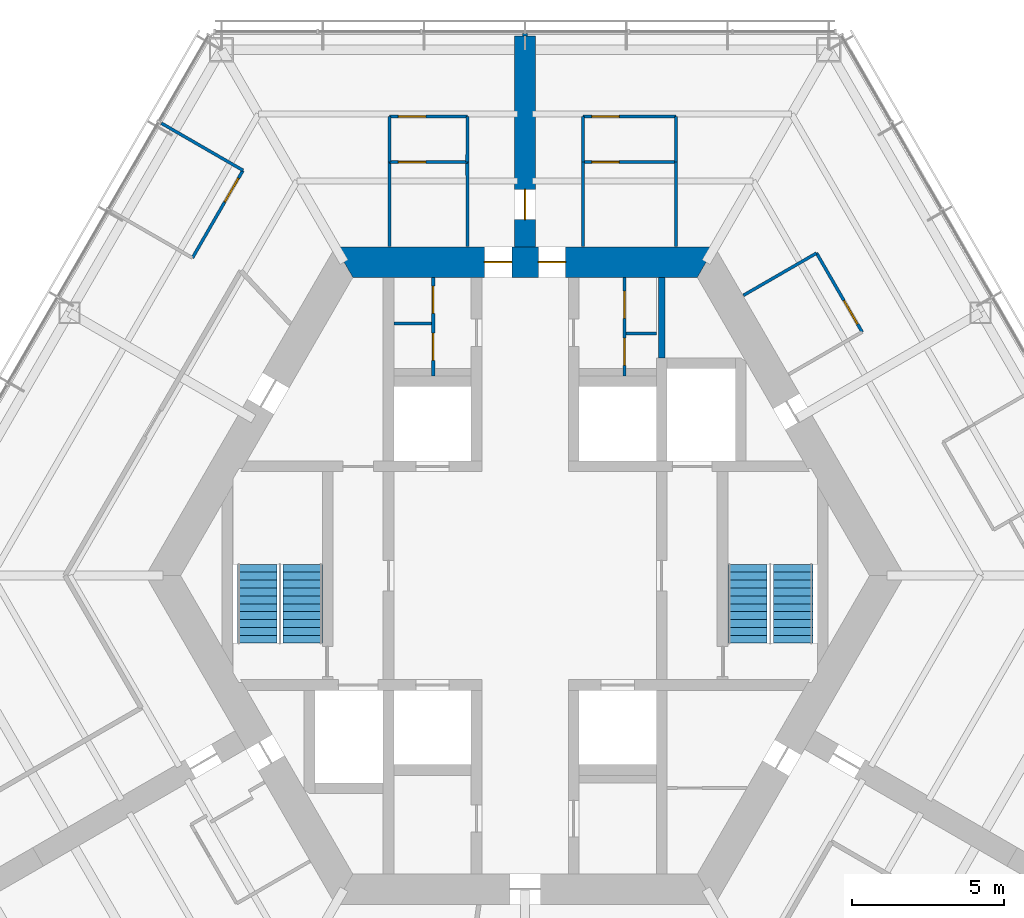
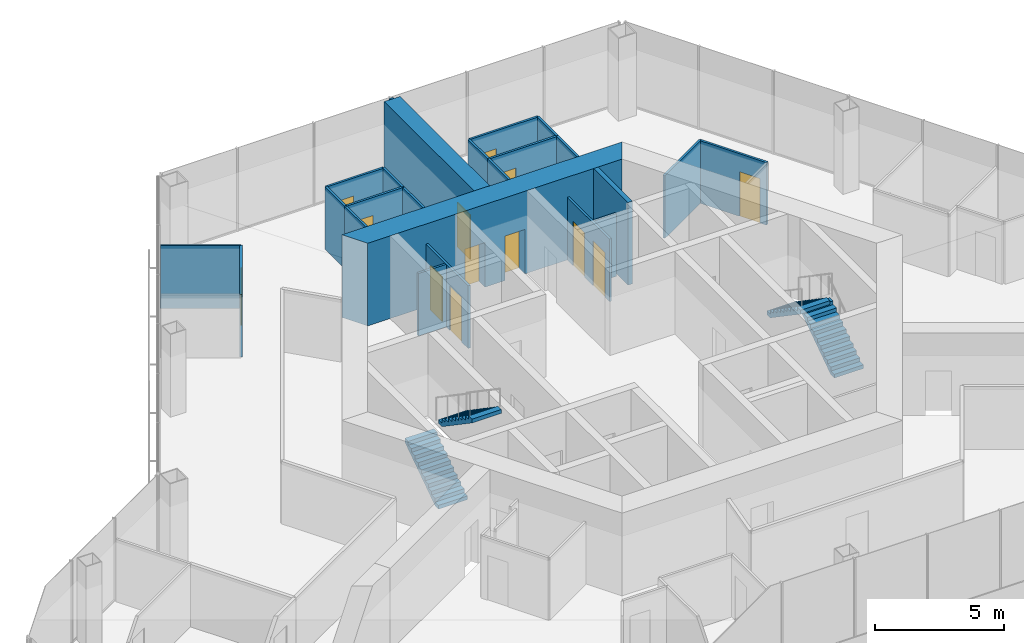
# One storey, part 15 of 18: 24 walls, 13 doors, 4 stair flights, 13 openings, 2 elements without a shape of their own.
"""IFC4 building model written with IfcOpenShell, lengths in metres."""

from ifc_helpers import new_model, si_unit, direction, frame, frame_2d, origin, place, context, subcontext, project, spatial, polyline, rectangle, outline, extrude, material, layer, layer_set, type_object, element, fill, aggregate, save


model = new_model("IFC4")

# Units and contexts
model_context = context("Model", 3, precision=1e-05, world=origin(), true_north=direction((0.0, 1.0)))
body_context = subcontext(model_context, "Body", "Model", "MODEL_VIEW")
ifc_project = project(units=[si_unit("LENGTHUNIT", "METRE"), si_unit("AREAUNIT", "SQUARE_METRE"), si_unit("VOLUMEUNIT", "CUBIC_METRE"), si_unit("PLANEANGLEUNIT", "RADIAN"), si_unit("MASSUNIT", "GRAM", prefix="KILO")], contexts=[model_context])

# Site, building, storey
site_placement = place(None, origin())
site = spatial("IfcSite", under=ifc_project, at=site_placement, CompositionType="ELEMENT")
building_placement = place(site_placement, origin())
building = spatial("IfcBuilding", under=site, at=building_placement, Name="Kasaneha Research Tower", CompositionType="ELEMENT")
storey_placement = place(building_placement, frame((0.0, 0.0, 191.60009765625)))
storey = spatial("IfcBuildingStorey", under=building, at=storey_placement, Name="L48", CompositionType="ELEMENT", Elevation=191.60009765625)

# Wall, openings, doors
ifc_material_1 = material(Name="Concrete Fc70", Category="concrete")
ifc_layer_1 = layer(ifc_material_1, 1.0)
ifc_layer_set_1 = layer_set([ifc_layer_1], Name="Core wall 1000 Fc70")
wall_type_1 = type_object("IfcWallType", Name="Core wall 1000 Fc70", PredefinedType="SHEAR", material=ifc_layer_set_1)
wall_1_placement = place(storey_placement, frame((5.961181640625, 10.324951171875, 0.0), z_axis=(0.0, 0.0, 1.0), x_axis=(-1.0, 0.0, 0.0)))
wall_1 = element("IfcWall", 1, at=wall_1_placement, inside=storey, type_object=wall_type_1, Name="Core wall 090 L48", PredefinedType="SHEAR", context=body_context, shape_type="SweptSolid", body=[
    extrude(outline(polyline([(-0.28857421875, -0.5), (4.62353515625, -0.5), (5.5234375, -0.5), (6.398681640625, -0.5), (7.298583984375, -0.5), (12.2109375, -0.5), (11.6337890625, 0.5), (7.298583984375, 0.5), (6.398681640625, 0.5), (5.5234375, 0.5), (4.62353515625, 0.5), (0.28857421875, 0.5), (-0.28857421875, -0.5)])), origin(), (0.0, 0.0, 1.0), 3.89990234375),
])
opening_1_placement = place(wall_1_placement, frame((6.398681640625, 0.0, 0.0)))
opening_1 = element("IfcOpeningElement", 2, at=opening_1_placement, cuts=wall_1, Name="Opening L48-D01", PredefinedType="OPENING", context=body_context, shape_type="SweptSolid", body=[
    extrude(rectangle(XDim=0.89990234375, YDim=2.10009765625, at=frame_2d((0.449951171875, 1.050048828125))), frame((0.0, 0.510009765625, 0.0), z_axis=(0.0, -1.0, 0.0), x_axis=(1.0, 0.0, 0.0)), (0.0, 0.0, 1.0), 1.02001953125),
])
opening_2_placement = place(wall_1_placement, frame((4.62353515625, 0.0, 0.0)))
opening_2 = element("IfcOpeningElement", 3, at=opening_2_placement, cuts=wall_1, Name="Opening L48-D02", PredefinedType="OPENING", context=body_context, shape_type="SweptSolid", body=[
    extrude(rectangle(XDim=0.89990234375, YDim=2.10009765625, at=frame_2d((0.449951171875, 1.050048828125))), frame((0.0, 0.510009765625, 0.0), z_axis=(0.0, -1.0, 0.0), x_axis=(1.0, 0.0, 0.0)), (0.0, 0.0, 1.0), 1.02001953125),
])
ifc_material_2 = material(Name="Steel", Category="steel")
door_type_1 = type_object("IfcDoorType", Name="Toilet door FD20 900x2100", OperationType="NOTDEFINED", PredefinedType="DOOR", material=ifc_material_2)
door_1_placement = place(opening_1_placement, origin())
door_1 = element("IfcDoor", 4, at=door_1_placement, inside=storey, type_object=door_type_1, Name="Core door north 1 L48-D01", OperationType="SINGLE_SWING_RIGHT", OverallHeight=2.10009765625, OverallWidth=0.89990234375, PredefinedType="DOOR", context=body_context, shape_type="SweptSolid", body=[
    extrude(rectangle(XDim=0.89990234375, YDim=2.10009765625, at=frame_2d((0.449951171875, 1.050048828125))), frame((0.0, 0.02490234375, 0.0), z_axis=(0.0, -1.0, 0.0), x_axis=(1.0, 0.0, 0.0)), (0.0, 0.0, 1.0), 0.050048828125),
])
fill(opening_1, door_1)
door_2_placement = place(opening_2_placement, origin())
door_2 = element("IfcDoor", 5, at=door_2_placement, inside=storey, type_object=door_type_1, Name="Core door north 2 L48-D02", OperationType="SINGLE_SWING_LEFT", OverallHeight=2.10009765625, OverallWidth=0.89990234375, PredefinedType="DOOR", context=body_context, shape_type="SweptSolid", body=[
    extrude(rectangle(XDim=0.89990234375, YDim=2.10009765625, at=frame_2d((0.449951171875, 1.050048828125))), frame((0.0, 0.02490234375, 0.0), z_axis=(0.0, -1.0, 0.0), x_axis=(1.0, 0.0, 0.0)), (0.0, 0.0, 1.0), 0.050048828125),
])
fill(opening_2, door_2)

ifc_material_3 = material(Name="Gypsum board on steel studs, one layer each side", Category="steel")
ifc_layer_2 = layer(ifc_material_3, 0.10009765625)
ifc_layer_set_2 = layer_set([ifc_layer_2], Name="Office partition 100")
wall_type_2 = type_object("IfcWallType", Name="Office partition 100", PredefinedType="PARTITIONING", material=ifc_layer_set_2)
wall_2_placement = place(storey_placement, frame((-3.02490234375, 6.574951171875, 0.0), z_axis=(0.0, 0.0, 1.0), x_axis=(0.0, 1.0, 0.0)))
wall_2 = element("IfcWall", 6, at=wall_2_placement, inside=storey, type_object=wall_type_2, Name="Office partition TBM1 L48", PredefinedType="PARTITIONING", context=body_context, shape_type="SweptSolid", body=[
    extrude(rectangle(XDim=3.25, YDim=0.10009765625, at=frame_2d((1.625, 0.0))), origin(), (0.0, 0.0, 1.0), 2.949951171875),
])
opening_3_placement = place(wall_2_placement, frame((2.06494140625, 0.0, 0.0)))
opening_3 = element("IfcOpeningElement", 7, at=opening_3_placement, cuts=wall_2, Name="Opening L48-D20", PredefinedType="OPENING", context=body_context, shape_type="SweptSolid", body=[
    extrude(rectangle(XDim=0.89990234375, YDim=2.10009765625, at=frame_2d((0.449951171875, 1.050048828125))), frame((0.0, 0.06005859375, 0.0), z_axis=(0.0, -1.0, 0.0), x_axis=(1.0, 0.0, 0.0)), (0.0, 0.0, 1.0), 0.1201171875),
])
opening_4_placement = place(wall_2_placement, frame((0.514892578125, 0.0, 0.0)))
opening_4 = element("IfcOpeningElement", 8, at=opening_4_placement, cuts=wall_2, Name="Opening L48-D21", PredefinedType="OPENING", context=body_context, shape_type="SweptSolid", body=[
    extrude(rectangle(XDim=0.89990234375, YDim=2.10009765625, at=frame_2d((0.449951171875, 1.050048828125))), frame((0.0, 0.06005859375, 0.0), z_axis=(0.0, -1.0, 0.0), x_axis=(1.0, 0.0, 0.0)), (0.0, 0.0, 1.0), 0.1201171875),
])
ifc_material_4 = material(Name="Steel", Category="steel")
door_type_2 = type_object("IfcDoorType", Name="Toilet lobby door FD30 900x2100", OperationType="NOTDEFINED", PredefinedType="DOOR", material=ifc_material_4)
door_3_placement = place(opening_3_placement, origin())
door_3 = element("IfcDoor", 9, at=door_3_placement, inside=storey, type_object=door_type_2, Name="Men's WC door L48-D20", OperationType="SINGLE_SWING_RIGHT", OverallHeight=2.10009765625, OverallWidth=0.89990234375, PredefinedType="DOOR", context=body_context, shape_type="SweptSolid", body=[
    extrude(rectangle(XDim=0.89990234375, YDim=2.10009765625, at=frame_2d((0.449951171875, 1.050048828125))), frame((0.0, 0.02490234375, 0.0), z_axis=(0.0, -1.0, 0.0), x_axis=(1.0, 0.0, 0.0)), (0.0, 0.0, 1.0), 0.050048828125),
])
fill(opening_3, door_3)
door_4_placement = place(opening_4_placement, origin())
door_4 = element("IfcDoor", 10, at=door_4_placement, inside=storey, type_object=door_type_2, Name="Shower room door L48-D21", OperationType="SINGLE_SWING_RIGHT", OverallHeight=2.10009765625, OverallWidth=0.89990234375, PredefinedType="DOOR", context=body_context, shape_type="SweptSolid", body=[
    extrude(rectangle(XDim=0.89990234375, YDim=2.10009765625, at=frame_2d((0.449951171875, 1.050048828125))), frame((0.0, 0.02490234375, 0.0), z_axis=(0.0, -1.0, 0.0), x_axis=(1.0, 0.0, 0.0)), (0.0, 0.0, 1.0), 0.050048828125),
])
fill(opening_4, door_4)

# Wall
wall_3_placement = place(storey_placement, frame((-3.074951171875, 8.304931640625, 0.0), z_axis=(0.0, 0.0, 1.0), x_axis=(-1.0, 0.0, 0.0)))
element("IfcWall", 11, at=wall_3_placement, inside=storey, type_object=wall_type_2, Name="Office partition TBM2 L48", PredefinedType="PARTITIONING", context=body_context, shape_type="SweptSolid", body=[
    extrude(rectangle(XDim=1.25, YDim=0.10009765625, at=frame_2d((0.625, 0.0))), origin(), (0.0, 0.0, 1.0), 2.949951171875),
])

# Wall, openings, doors
wall_4_placement = place(storey_placement, frame((3.27490234375, 6.574951171875, 0.0), z_axis=(0.0, 0.0, 1.0), x_axis=(0.0, 1.0, 0.0)))
wall_4 = element("IfcWall", 12, at=wall_4_placement, inside=storey, type_object=wall_type_2, Name="Office partition TBF1 L48", PredefinedType="PARTITIONING", context=body_context, shape_type="SweptSolid", body=[
    extrude(rectangle(XDim=3.25, YDim=0.10009765625, at=frame_2d((1.625, 0.0))), origin(), (0.0, 0.0, 1.0), 2.949951171875),
])
opening_5_placement = place(wall_4_placement, frame((1.89990234375, 0.0, 0.0)))
opening_5 = element("IfcOpeningElement", 13, at=opening_5_placement, cuts=wall_4, Name="Opening L48-D22", PredefinedType="OPENING", context=body_context, shape_type="SweptSolid", body=[
    extrude(rectangle(XDim=0.89990234375, YDim=2.10009765625, at=frame_2d((0.449951171875, 1.050048828125))), frame((0.0, 0.06005859375, 0.0), z_axis=(0.0, -1.0, 0.0), x_axis=(1.0, 0.0, 0.0)), (0.0, 0.0, 1.0), 0.1201171875),
])
opening_6_placement = place(wall_4_placement, frame((0.35009765625, 0.0, 0.0)))
opening_6 = element("IfcOpeningElement", 14, at=opening_6_placement, cuts=wall_4, Name="Opening L48-D23", PredefinedType="OPENING", context=body_context, shape_type="SweptSolid", body=[
    extrude(rectangle(XDim=0.89990234375, YDim=2.10009765625, at=frame_2d((0.449951171875, 1.050048828125))), frame((0.0, 0.06005859375, 0.0), z_axis=(0.0, -1.0, 0.0), x_axis=(1.0, 0.0, 0.0)), (0.0, 0.0, 1.0), 0.1201171875),
])
door_5_placement = place(opening_5_placement, origin())
door_5 = element("IfcDoor", 15, at=door_5_placement, inside=storey, type_object=door_type_2, Name="Women's WC door L48-D22", OperationType="SINGLE_SWING_RIGHT", OverallHeight=2.10009765625, OverallWidth=0.89990234375, PredefinedType="DOOR", context=body_context, shape_type="SweptSolid", body=[
    extrude(rectangle(XDim=0.89990234375, YDim=2.10009765625, at=frame_2d((0.449951171875, 1.050048828125))), frame((0.0, 0.02490234375, 0.0), z_axis=(0.0, -1.0, 0.0), x_axis=(1.0, 0.0, 0.0)), (0.0, 0.0, 1.0), 0.050048828125),
])
fill(opening_5, door_5)
door_6_placement = place(opening_6_placement, origin())
door_6 = element("IfcDoor", 16, at=door_6_placement, inside=storey, type_object=door_type_2, Name="Cleaner's store door L48-D23", OperationType="SINGLE_SWING_RIGHT", OverallHeight=2.10009765625, OverallWidth=0.89990234375, PredefinedType="DOOR", context=body_context, shape_type="SweptSolid", body=[
    extrude(rectangle(XDim=0.89990234375, YDim=2.10009765625, at=frame_2d((0.449951171875, 1.050048828125))), frame((0.0, 0.02490234375, 0.0), z_axis=(0.0, -1.0, 0.0), x_axis=(1.0, 0.0, 0.0)), (0.0, 0.0, 1.0), 0.050048828125),
])
fill(opening_6, door_6)

# Wall
wall_5_placement = place(storey_placement, frame((3.324951171875, 7.97509765625, 0.0), z_axis=(0.0, 0.0, 1.0), x_axis=(1.0, 0.0, 0.0)))
element("IfcWall", 17, at=wall_5_placement, inside=storey, type_object=wall_type_2, Name="Office partition TBF2 L48", PredefinedType="PARTITIONING", context=body_context, shape_type="SweptSolid", body=[
    extrude(rectangle(XDim=1.0, YDim=0.10009765625, at=frame_2d((0.5, 0.0))), origin(), (0.0, 0.0, 1.0), 2.949951171875),
])

# Wall, opening, door
wall_6_placement = place(storey_placement, frame((1.89990234375, 13.6201171875, 0.0), z_axis=(0.0, 0.0, 1.0), x_axis=(1.0, 0.0, 0.0)))
wall_6 = element("IfcWall", 18, at=wall_6_placement, inside=storey, type_object=wall_type_2, Name="Office partition FAE01 L48", PredefinedType="PARTITIONING", context=body_context, shape_type="SweptSolid", body=[
    extrude(rectangle(XDim=3.071044921875, YDim=0.10009765625, at=frame_2d((1.53564453125, 0.0))), origin(), (0.0, 0.0, 1.0), 2.949951171875),
])
opening_7_placement = place(wall_6_placement, frame((0.300048828125, 0.0, 0.0)))
opening_7 = element("IfcOpeningElement", 19, at=opening_7_placement, cuts=wall_6, Name="Opening L48-D25", PredefinedType="OPENING", context=body_context, shape_type="SweptSolid", body=[
    extrude(rectangle(XDim=0.89990234375, YDim=2.10009765625, at=frame_2d((0.449951171875, 1.050048828125))), frame((0.0, 0.06005859375, 0.0), z_axis=(0.0, -1.0, 0.0), x_axis=(1.0, 0.0, 0.0)), (0.0, 0.0, 1.0), 0.1201171875),
])
door_7_placement = place(opening_7_placement, origin())
door_7 = element("IfcDoor", 20, at=door_7_placement, inside=storey, type_object=door_type_2, Name="Women's WC door L48-D25", OperationType="SINGLE_SWING_LEFT", OverallHeight=2.10009765625, OverallWidth=0.89990234375, PredefinedType="DOOR", context=body_context, shape_type="SweptSolid", body=[
    extrude(rectangle(XDim=0.89990234375, YDim=2.10009765625, at=frame_2d((0.449951171875, 1.050048828125))), frame((0.0, 0.02490234375, 0.0), z_axis=(0.0, -1.0, 0.0), x_axis=(1.0, 0.0, 0.0)), (0.0, 0.0, 1.0), 0.050048828125),
])
fill(opening_7, door_7)

# Walls
for number, where, z_axis, x_axis, name in (
    (21, (1.89990234375, 10.844970703125, 0.0), (0.0, 0.0, 1.0), (0.001668567099, 0.999998607941, 0.0), "Office partition FAE02 L48"),
    (22, (4.96630859375, 13.625, 0.0), (0.0, 0.0, 1.0), (0.001668567099, -0.999998607941, 0.0), "Office partition FAE03 L48"),
):
    element("IfcWall", number, at=place(storey_placement, frame(where, z_axis=z_axis, x_axis=x_axis)), inside=storey, type_object=wall_type_2, Name=name, PredefinedType="PARTITIONING", context=body_context, shape_type="SweptSolid", body=[
        extrude(rectangle(XDim=2.780029296875, YDim=0.10009765625, at=frame_2d((1.39013671875, 0.0))), origin(), (0.0, 0.0, 1.0), 2.949951171875),
    ])

# Wall, opening, door
wall_7_placement = place(storey_placement, frame((1.89990234375, 15.125, 0.0), z_axis=(0.0, 0.0, 1.0), x_axis=(1.0, 0.0, 0.0)))
wall_7 = element("IfcWall", 23, at=wall_7_placement, inside=storey, type_object=wall_type_2, Name="Office partition FAE04 L48", PredefinedType="PARTITIONING", context=body_context, shape_type="SweptSolid", body=[
    extrude(rectangle(XDim=3.071044921875, YDim=0.10009765625, at=frame_2d((1.53564453125, 0.0))), origin(), (0.0, 0.0, 1.0), 2.949951171875),
])
opening_8_placement = place(wall_7_placement, frame((0.300048828125, 0.0, 0.0)))
opening_8 = element("IfcOpeningElement", 24, at=opening_8_placement, cuts=wall_7, Name="Opening L48-D26", PredefinedType="OPENING", context=body_context, shape_type="SweptSolid", body=[
    extrude(rectangle(XDim=0.89990234375, YDim=2.10009765625, at=frame_2d((0.449951171875, 1.050048828125))), frame((0.0, 0.06005859375, 0.0), z_axis=(0.0, -1.0, 0.0), x_axis=(1.0, 0.0, 0.0)), (0.0, 0.0, 1.0), 0.1201171875),
])
door_8_placement = place(opening_8_placement, origin())
door_8 = element("IfcDoor", 25, at=door_8_placement, inside=storey, type_object=door_type_2, Name="Toilet lobby door L48-D26", OperationType="SINGLE_SWING_LEFT", OverallHeight=2.10009765625, OverallWidth=0.89990234375, PredefinedType="DOOR", context=body_context, shape_type="SweptSolid", body=[
    extrude(rectangle(XDim=0.89990234375, YDim=2.10009765625, at=frame_2d((0.449951171875, 1.050048828125))), frame((0.0, 0.02490234375, 0.0), z_axis=(0.0, -1.0, 0.0), x_axis=(1.0, 0.0, 0.0)), (0.0, 0.0, 1.0), 0.050048828125),
])
fill(opening_8, door_8)

# Walls
for number, where, z_axis, x_axis, name in (
    (26, (1.904541015625, 13.625, 0.0), (0.0, 0.0, 1.0), (-0.00309243313, 0.999995218417, 0.0), "Office partition FAE05 L48"),
    (27, (4.970947265625, 15.125, 0.0), (0.0, 0.0, 1.0), (-0.00309243313, -0.999995218417, 0.0), "Office partition FAE06 L48"),
):
    element("IfcWall", number, at=place(storey_placement, frame(where, z_axis=z_axis, x_axis=x_axis)), inside=storey, type_object=wall_type_2, Name=name, PredefinedType="PARTITIONING", context=body_context, shape_type="SweptSolid", body=[
        extrude(rectangle(XDim=1.5, YDim=0.10009765625, at=frame_2d((0.75, 0.0))), origin(), (0.0, 0.0, 1.0), 2.949951171875),
    ])
wall_8_placement = place(storey_placement, frame((7.19189453125, 9.23291015625, 0.0), z_axis=(0.0, 0.0, 1.0), x_axis=(0.866018876994, 0.500011304563, 0.0)))
element("IfcWall", 28, at=wall_8_placement, inside=storey, type_object=wall_type_2, Name="Office partition FAE07 L48", PredefinedType="PARTITIONING", context=body_context, shape_type="SweptSolid", body=[
    extrude(rectangle(XDim=2.7802734375, YDim=0.10009765625, at=frame_2d((1.39013671875, 0.0))), origin(), (0.0, 0.0, 1.0), 2.949951171875),
])

# Wall, opening, door
wall_9_placement = place(storey_placement, frame((9.599609375, 10.623046875, 0.0), z_axis=(0.0, 0.0, 1.0), x_axis=(0.499990139034, -0.866031096941, 0.0)))
wall_9 = element("IfcWall", 29, at=wall_9_placement, inside=storey, type_object=wall_type_2, Name="Office partition FAE08 L48", PredefinedType="PARTITIONING", context=body_context, shape_type="SweptSolid", body=[
    extrude(rectangle(XDim=3.0, YDim=0.10009765625, at=frame_2d((1.5, 0.0))), origin(), (0.0, 0.0, 1.0), 2.949951171875),
])
opening_9_placement = place(wall_9_placement, frame((1.800048828125, 0.0, 0.0)))
opening_9 = element("IfcOpeningElement", 30, at=opening_9_placement, cuts=wall_9, Name="Opening L48-D27", PredefinedType="OPENING", context=body_context, shape_type="SweptSolid", body=[
    extrude(rectangle(XDim=0.89990234375, YDim=2.10009765625, at=frame_2d((0.449951171875, 1.050048828125))), frame((0.0, 0.06005859375, 0.0), z_axis=(0.0, -1.0, 0.0), x_axis=(1.0, 0.0, 0.0)), (0.0, 0.0, 1.0), 0.1201171875),
])
ifc_material_5 = material(Name="Timber veneer", Category="wood")
door_type_3 = type_object("IfcDoorType", Name="Office door 900x2100", OperationType="SINGLE_SWING_LEFT", PredefinedType="DOOR", material=ifc_material_5)
door_9_placement = place(opening_9_placement, origin())
door_9 = element("IfcDoor", 31, at=door_9_placement, inside=storey, type_object=door_type_3, Name="Pantry door L48-D27", OperationType="SINGLE_SWING_RIGHT", OverallHeight=2.10009765625, OverallWidth=0.89990234375, PredefinedType="DOOR", context=body_context, shape_type="SweptSolid", body=[
    extrude(rectangle(XDim=0.89990234375, YDim=2.10009765625, at=frame_2d((0.449951171875, 1.050048828125))), frame((0.0, 0.02490234375, 0.0), z_axis=(0.0, -1.0, 0.0), x_axis=(1.0, 0.0, 0.0)), (0.0, 0.0, 1.0), 0.050048828125),
])
fill(opening_9, door_9)

wall_10_placement = place(storey_placement, frame((-4.470947265625, 13.6201171875, 0.0), z_axis=(0.0, 0.0, 1.0), x_axis=(1.0, 0.0, 0.0)))
wall_10 = element("IfcWall", 32, at=wall_10_placement, inside=storey, type_object=wall_type_2, Name="Office partition FAW01 L48", PredefinedType="PARTITIONING", context=body_context, shape_type="SweptSolid", body=[
    extrude(rectangle(XDim=2.571044921875, YDim=0.10009765625, at=frame_2d((1.28564453125, 0.0))), origin(), (0.0, 0.0, 1.0), 2.949951171875),
])
opening_10_placement = place(wall_10_placement, frame((0.300048828125, 0.0, 0.0)))
opening_10 = element("IfcOpeningElement", 33, at=opening_10_placement, cuts=wall_10, Name="Opening L48-D30", PredefinedType="OPENING", context=body_context, shape_type="SweptSolid", body=[
    extrude(rectangle(XDim=0.89990234375, YDim=2.10009765625, at=frame_2d((0.449951171875, 1.050048828125))), frame((0.0, 0.06005859375, 0.0), z_axis=(0.0, -1.0, 0.0), x_axis=(1.0, 0.0, 0.0)), (0.0, 0.0, 1.0), 0.1201171875),
])
door_10_placement = place(opening_10_placement, origin())
door_10 = element("IfcDoor", 34, at=door_10_placement, inside=storey, type_object=door_type_2, Name="Men's WC door L48-D30", OperationType="SINGLE_SWING_LEFT", OverallHeight=2.10009765625, OverallWidth=0.89990234375, PredefinedType="DOOR", context=body_context, shape_type="SweptSolid", body=[
    extrude(rectangle(XDim=0.89990234375, YDim=2.10009765625, at=frame_2d((0.449951171875, 1.050048828125))), frame((0.0, 0.02490234375, 0.0), z_axis=(0.0, -1.0, 0.0), x_axis=(1.0, 0.0, 0.0)), (0.0, 0.0, 1.0), 0.050048828125),
])
fill(opening_10, door_10)

# Walls
for number, where, z_axis, x_axis, name in (
    (35, (-4.470947265625, 10.844970703125, 0.0), (0.0, 0.0, 1.0), (0.001668567099, 0.999998607941, 0.0), "Office partition FAW02 L48"),
    (36, (-1.90478515625, 13.625, 0.0), (0.0, 0.0, 1.0), (0.001756386155, -0.999998457553, 0.0), "Office partition FAW03 L48"),
):
    element("IfcWall", number, at=place(storey_placement, frame(where, z_axis=z_axis, x_axis=x_axis)), inside=storey, type_object=wall_type_2, Name=name, PredefinedType="PARTITIONING", context=body_context, shape_type="SweptSolid", body=[
        extrude(rectangle(XDim=2.780029296875, YDim=0.10009765625, at=frame_2d((1.39013671875, 0.0))), origin(), (0.0, 0.0, 1.0), 2.949951171875),
    ])

# Wall, opening, door
wall_11_placement = place(storey_placement, frame((-4.470947265625, 15.125, 0.0), z_axis=(0.0, 0.0, 1.0), x_axis=(1.0, 0.0, 0.0)))
wall_11 = element("IfcWall", 37, at=wall_11_placement, inside=storey, type_object=wall_type_2, Name="Office partition FAW04 L48", PredefinedType="PARTITIONING", context=body_context, shape_type="SweptSolid", body=[
    extrude(rectangle(XDim=2.571044921875, YDim=0.10009765625, at=frame_2d((1.28564453125, 0.0))), origin(), (0.0, 0.0, 1.0), 2.949951171875),
])
opening_11_placement = place(wall_11_placement, frame((0.300048828125, 0.0, 0.0)))
opening_11 = element("IfcOpeningElement", 38, at=opening_11_placement, cuts=wall_11, Name="Opening L48-D31", PredefinedType="OPENING", context=body_context, shape_type="SweptSolid", body=[
    extrude(rectangle(XDim=0.89990234375, YDim=2.10009765625, at=frame_2d((0.449951171875, 1.050048828125))), frame((0.0, 0.06005859375, 0.0), z_axis=(0.0, -1.0, 0.0), x_axis=(1.0, 0.0, 0.0)), (0.0, 0.0, 1.0), 0.1201171875),
])
door_11_placement = place(opening_11_placement, origin())
door_11 = element("IfcDoor", 39, at=door_11_placement, inside=storey, type_object=door_type_2, Name="Toilet lobby door L48-D31", OperationType="SINGLE_SWING_LEFT", OverallHeight=2.10009765625, OverallWidth=0.89990234375, PredefinedType="DOOR", context=body_context, shape_type="SweptSolid", body=[
    extrude(rectangle(XDim=0.89990234375, YDim=2.10009765625, at=frame_2d((0.449951171875, 1.050048828125))), frame((0.0, 0.02490234375, 0.0), z_axis=(0.0, -1.0, 0.0), x_axis=(1.0, 0.0, 0.0)), (0.0, 0.0, 1.0), 0.050048828125),
])
fill(opening_11, door_11)

# Walls
for number, where, z_axis, x_axis, name in (
    (40, (-4.46630859375, 13.625, 0.0), (0.0, 0.0, 1.0), (-0.00309243313, 0.999995218417, 0.0), "Office partition FAW05 L48"),
    (41, (-1.89990234375, 15.125, 0.0), (0.0, 0.0, 1.0), (-0.003255191087, -0.999994701851, 0.0), "Office partition FAW06 L48"),
):
    element("IfcWall", number, at=place(storey_placement, frame(where, z_axis=z_axis, x_axis=x_axis)), inside=storey, type_object=wall_type_2, Name=name, PredefinedType="PARTITIONING", context=body_context, shape_type="SweptSolid", body=[
        extrude(rectangle(XDim=1.5, YDim=0.10009765625, at=frame_2d((0.75, 0.0))), origin(), (0.0, 0.0, 1.0), 2.949951171875),
    ])
wall_12_placement = place(storey_placement, frame((-11.979736328125, 14.901611328125, 0.0), z_axis=(0.0, 0.0, 1.0), x_axis=(0.866042875753, -0.499969736442, 0.0)))
element("IfcWall", 42, at=wall_12_placement, inside=storey, type_object=wall_type_2, Name="Office partition FBN12 L48", PredefinedType="PARTITIONING", context=body_context, shape_type="SweptSolid", body=[
    extrude(rectangle(XDim=3.105224609375, YDim=0.10009765625, at=frame_2d((1.552734375, 0.0))), origin(), (0.0, 0.0, 1.0), 2.949951171875),
])

# Wall, opening, door
wall_13_placement = place(storey_placement, frame((-9.29052734375, 13.34912109375, 0.0), z_axis=(0.0, 0.0, 1.0), x_axis=(-0.500033344505, -0.86600615147, 0.0)))
wall_13 = element("IfcWall", 43, at=wall_13_placement, inside=storey, type_object=wall_type_2, Name="Office partition FBN14 L48", PredefinedType="PARTITIONING", context=body_context, shape_type="SweptSolid", body=[
    extrude(rectangle(XDim=3.330810546875, YDim=0.10009765625, at=frame_2d((1.66552734375, 0.0))), origin(), (0.0, 0.0, 1.0), 2.949951171875),
])
opening_12_placement = place(wall_13_placement, frame((0.300048828125, 0.0, 0.0)))
opening_12 = element("IfcOpeningElement", 44, at=opening_12_placement, cuts=wall_13, Name="Opening L48-D36", PredefinedType="OPENING", context=body_context, shape_type="SweptSolid", body=[
    extrude(rectangle(XDim=0.89990234375, YDim=2.10009765625, at=frame_2d((0.449951171875, 1.050048828125))), frame((0.0, 0.06005859375, 0.0), z_axis=(0.0, -1.0, 0.0), x_axis=(1.0, 0.0, 0.0)), (0.0, 0.0, 1.0), 0.1201171875),
])
door_12_placement = place(opening_12_placement, origin())
door_12 = element("IfcDoor", 45, at=door_12_placement, inside=storey, type_object=door_type_3, Name="Project room door L48-D36", OperationType="SINGLE_SWING_LEFT", OverallHeight=2.10009765625, OverallWidth=0.89990234375, PredefinedType="DOOR", context=body_context, shape_type="SweptSolid", body=[
    extrude(rectangle(XDim=0.89990234375, YDim=2.10009765625, at=frame_2d((0.449951171875, 1.050048828125))), frame((0.0, 0.02490234375, 0.0), z_axis=(0.0, -1.0, 0.0), x_axis=(1.0, 0.0, 0.0)), (0.0, 0.0, 1.0), 0.050048828125),
])
fill(opening_12, door_12)

# Wall
ifc_material_6 = material(Name="Concrete block", Category="concrete")
ifc_layer_3 = layer(ifc_material_6, 0.199951171875)
ifc_layer_set_3 = layer_set([ifc_layer_3], Name="Riser enclosure wall 200")
wall_type_3 = type_object("IfcWallType", Name="Riser enclosure wall 200", PredefinedType="STANDARD", material=ifc_layer_set_3)
wall_14_placement = place(storey_placement, frame((4.5, 7.175048828125, 0.0), z_axis=(0.0, 0.0, 1.0), x_axis=(0.0, 1.0, 0.0)))
element("IfcWall", 46, at=wall_14_placement, inside=storey, type_object=wall_type_3, Name="Riser enclosure wall L48", PredefinedType="STANDARD", context=body_context, shape_type="SweptSolid", body=[
    extrude(rectangle(XDim=2.64990234375, YDim=0.199951171875, at=frame_2d((1.324951171875, 0.0))), origin(), (0.0, 0.0, 1.0), 3.89990234375),
])

# Wall, opening, door
ifc_material_7 = material(Name="Concrete Fc70", Category="concrete")
ifc_layer_4 = layer(ifc_material_7, 0.699951171875)
ifc_layer_set_4 = layer_set([ifc_layer_4], Name="Spine wall 700 Fc70")
wall_type_4 = type_object("IfcWallType", Name="Spine wall 700 Fc70", PredefinedType="SHEAR", material=ifc_layer_set_4)
wall_15_placement = place(storey_placement, frame((0.0, 10.824951171875, 0.0), z_axis=(0.0, 0.0, 1.0), x_axis=(0.0, 1.0, 0.0)))
wall_15 = element("IfcWall", 47, at=wall_15_placement, inside=storey, type_object=wall_type_4, Name="Spine wall A L48", PredefinedType="SHEAR", context=body_context, shape_type="SweptSolid", body=[
    extrude(rectangle(XDim=6.945556640625, YDim=0.699951171875, at=frame_2d((3.47265625, 0.0))), origin(), (0.0, 0.0, 1.0), 3.89990234375),
])
opening_13_placement = place(wall_15_placement, frame((0.89990234375, 0.0, 0.0)))
opening_13 = element("IfcOpeningElement", 48, at=opening_13_placement, cuts=wall_15, Name="Opening L48-D17", PredefinedType="OPENING", context=body_context, shape_type="SweptSolid", body=[
    extrude(rectangle(XDim=1.0, YDim=2.10009765625, at=frame_2d((0.5, 1.050048828125))), frame((0.0, 0.35986328125, 0.0), z_axis=(0.0, -1.0, 0.0), x_axis=(1.0, 0.0, 0.0)), (0.0, 0.0, 1.0), 0.719970703125),
])
ifc_material_8 = material(Name="Steel", Category="steel")
door_type_4 = type_object("IfcDoorType", Name="Specified fire door FD60 1000x2100", OperationType="NOTDEFINED", PredefinedType="DOOR", material=ifc_material_8)
door_13_placement = place(opening_13_placement, origin())
door_13 = element("IfcDoor", 49, at=door_13_placement, inside=storey, type_object=door_type_4, Name="Spine doorway A L48-D17", OperationType="SINGLE_SWING_LEFT", OverallHeight=2.10009765625, OverallWidth=1.0, PredefinedType="DOOR", context=body_context, shape_type="SweptSolid", body=[
    extrude(rectangle(XDim=1.0, YDim=2.10009765625, at=frame_2d((0.5, 1.050048828125))), frame((0.0, 0.02490234375, 0.0), z_axis=(0.0, -1.0, 0.0), x_axis=(1.0, 0.0, 0.0)), (0.0, 0.0, 1.0), 0.050048828125),
])
fill(opening_13, door_13)

# Wall
ifc_material_9 = material(Name="Gypsum board on steel studs, two layers each side", Category="steel")
ifc_layer_5 = layer(ifc_material_9, 0.175048828125)
ifc_layer_set_5 = layer_set([ifc_layer_5], Name="Tenancy fire partition 175")
wall_type_5 = type_object("IfcWallType", Name="Tenancy fire partition 175", PredefinedType="PARTITIONING", material=ifc_layer_set_5)
wall_16_placement = place(storey_placement, frame((0.0, 17.7705078125, 0.0), z_axis=(0.0, 0.0, 1.0), x_axis=(0.0, 1.0, 0.0)))
element("IfcWall", 50, at=wall_16_placement, inside=storey, type_object=wall_type_5, Name="Spine wall closer SW3-700 L48", PredefinedType="PARTITIONING", context=body_context, shape_type="SweptSolid", body=[
    extrude(rectangle(XDim=0.080078125, YDim=0.175048828125, at=frame_2d((0.0400390625, 0.0))), origin(), (0.0, 0.0, 1.0), 3.89990234375),
])

# Stair, stair flights
ifc_material_10 = material(Name="Concrete Fc24", Category="concrete")
stair_type = type_object("IfcStairType", Name="Half-turn stair 22 risers", PredefinedType="HALF_TURN_STAIR", material=ifc_material_10)
stair_1_placement = place(storey_placement, origin())
stair_1 = element("IfcStair", 51, at=stair_1_placement, inside=storey, type_object=stair_type, Name="Stair 1 L48", PredefinedType="HALF_TURN_STAIR")
ifc_material_11 = material(Name="Concrete Fc24", Category="concrete")
stair_flight_type = type_object("IfcStairFlightType", Name="Stair flight 11 risers 177.3", PredefinedType="STRAIGHT", material=ifc_material_11)
stair_flight_1_placement = place(storey_placement, frame((8.824951171875, -2.22509765625, 0.0), z_axis=(0.0, 0.0, 1.0), x_axis=(0.0, 1.0, 0.0)))
stair_flight_1 = element("IfcStairFlight", 52, at=stair_flight_1_placement, type_object=stair_flight_type, Name="ST1-22R flight 1", NumberOfRisers=11, NumberOfTreads=10, PredefinedType="STRAIGHT", RiserHeight=0.177272727, TreadLength=0.26, context=body_context, shape_type="SweptSolid", body=[
    extrude(outline(polyline([(0.0, 0.0), (0.0, 0.17724609375), (0.260009765625, 0.17724609375), (0.260009765625, 0.3544921875), (0.52001953125, 0.3544921875), (0.52001953125, 0.53173828125), (0.780029296875, 0.53173828125), (0.780029296875, 0.708984375), (1.0400390625, 0.708984375), (1.0400390625, 0.886474609375), (1.300048828125, 0.886474609375), (1.300048828125, 1.063720703125), (1.56005859375, 1.063720703125), (1.56005859375, 1.240966796875), (1.820068359375, 1.240966796875), (1.820068359375, 1.418212890625), (2.080078125, 1.418212890625), (2.080078125, 1.595458984375), (2.340087890625, 1.595458984375), (2.340087890625, 1.772705078125), (2.60009765625, 1.772705078125), (2.60009765625, 1.949951171875), (2.60009765625, 1.59130859375), (0.26611328125, 0.0), (0.0, 0.0)])), frame((0.0, 0.64990234375, 0.0), z_axis=(0.0, -1.0, 0.0), x_axis=(1.0, 0.0, 0.0)), (0.0, 0.0, 1.0), 1.300048828125),
])
stair_flight_2_placement = place(storey_placement, frame((7.324951171875, 0.375, 1.949951171875), z_axis=(0.0, 0.0, 1.0), x_axis=(0.0, -1.0, 0.0)))
stair_flight_2 = element("IfcStairFlight", 53, at=stair_flight_2_placement, type_object=stair_flight_type, Name="ST1-22R flight 2", NumberOfRisers=11, NumberOfTreads=10, PredefinedType="STRAIGHT", RiserHeight=0.177272727, TreadLength=0.26, context=body_context, shape_type="SweptSolid", body=[
    extrude(outline(polyline([(0.0, 0.0), (0.0, 0.17724609375), (0.260009765625, 0.17724609375), (0.260009765625, 0.3544921875), (0.52001953125, 0.3544921875), (0.52001953125, 0.53173828125), (0.780029296875, 0.53173828125), (0.780029296875, 0.708984375), (1.0400390625, 0.708984375), (1.0400390625, 0.886474609375), (1.300048828125, 0.886474609375), (1.300048828125, 1.063720703125), (1.56005859375, 1.063720703125), (1.56005859375, 1.240966796875), (1.820068359375, 1.240966796875), (1.820068359375, 1.418212890625), (2.080078125, 1.418212890625), (2.080078125, 1.595458984375), (2.340087890625, 1.595458984375), (2.340087890625, 1.772705078125), (2.60009765625, 1.772705078125), (2.60009765625, 1.949951171875), (2.60009765625, 1.59130859375), (0.26611328125, 0.0), (0.0, 0.0)])), frame((0.0, 0.64990234375, 0.0), z_axis=(0.0, -1.0, 0.0), x_axis=(1.0, 0.0, 0.0)), (0.0, 0.0, 1.0), 1.300048828125),
])
aggregate(stair_1, [stair_flight_1, stair_flight_2])

stair_2_placement = place(storey_placement, origin())
stair_2 = element("IfcStair", 54, at=stair_2_placement, inside=storey, type_object=stair_type, Name="Stair 2 L48", PredefinedType="HALF_TURN_STAIR")
stair_flight_3_placement = place(storey_placement, frame((-8.824951171875, -2.22509765625, 0.0), z_axis=(0.0, 0.0, 1.0), x_axis=(0.0, 1.0, 0.0)))
stair_flight_3 = element("IfcStairFlight", 55, at=stair_flight_3_placement, type_object=stair_flight_type, Name="ST2-22R flight 1", NumberOfRisers=11, NumberOfTreads=10, PredefinedType="STRAIGHT", RiserHeight=0.177272727, TreadLength=0.26, context=body_context, shape_type="SweptSolid", body=[
    extrude(outline(polyline([(0.0, 0.0), (0.0, 0.17724609375), (0.260009765625, 0.17724609375), (0.260009765625, 0.3544921875), (0.52001953125, 0.3544921875), (0.52001953125, 0.53173828125), (0.780029296875, 0.53173828125), (0.780029296875, 0.708984375), (1.0400390625, 0.708984375), (1.0400390625, 0.886474609375), (1.300048828125, 0.886474609375), (1.300048828125, 1.063720703125), (1.56005859375, 1.063720703125), (1.56005859375, 1.240966796875), (1.820068359375, 1.240966796875), (1.820068359375, 1.418212890625), (2.080078125, 1.418212890625), (2.080078125, 1.595458984375), (2.340087890625, 1.595458984375), (2.340087890625, 1.772705078125), (2.60009765625, 1.772705078125), (2.60009765625, 1.949951171875), (2.60009765625, 1.59130859375), (0.26611328125, 0.0), (0.0, 0.0)])), frame((0.0, 0.64990234375, 0.0), z_axis=(0.0, -1.0, 0.0), x_axis=(1.0, 0.0, 0.0)), (0.0, 0.0, 1.0), 1.300048828125),
])
stair_flight_4_placement = place(storey_placement, frame((-7.324951171875, 0.375, 1.949951171875), z_axis=(0.0, 0.0, 1.0), x_axis=(0.0, -1.0, 0.0)))
stair_flight_4 = element("IfcStairFlight", 56, at=stair_flight_4_placement, type_object=stair_flight_type, Name="ST2-22R flight 2", NumberOfRisers=11, NumberOfTreads=10, PredefinedType="STRAIGHT", RiserHeight=0.177272727, TreadLength=0.26, context=body_context, shape_type="SweptSolid", body=[
    extrude(outline(polyline([(0.0, 0.0), (0.0, 0.17724609375), (0.260009765625, 0.17724609375), (0.260009765625, 0.3544921875), (0.52001953125, 0.3544921875), (0.52001953125, 0.53173828125), (0.780029296875, 0.53173828125), (0.780029296875, 0.708984375), (1.0400390625, 0.708984375), (1.0400390625, 0.886474609375), (1.300048828125, 0.886474609375), (1.300048828125, 1.063720703125), (1.56005859375, 1.063720703125), (1.56005859375, 1.240966796875), (1.820068359375, 1.240966796875), (1.820068359375, 1.418212890625), (2.080078125, 1.418212890625), (2.080078125, 1.595458984375), (2.340087890625, 1.595458984375), (2.340087890625, 1.772705078125), (2.60009765625, 1.772705078125), (2.60009765625, 1.949951171875), (2.60009765625, 1.59130859375), (0.26611328125, 0.0), (0.0, 0.0)])), frame((0.0, 0.64990234375, 0.0), z_axis=(0.0, -1.0, 0.0), x_axis=(1.0, 0.0, 0.0)), (0.0, 0.0, 1.0), 1.300048828125),
])
aggregate(stair_2, [stair_flight_3, stair_flight_4])

save(model, "model.ifc")
